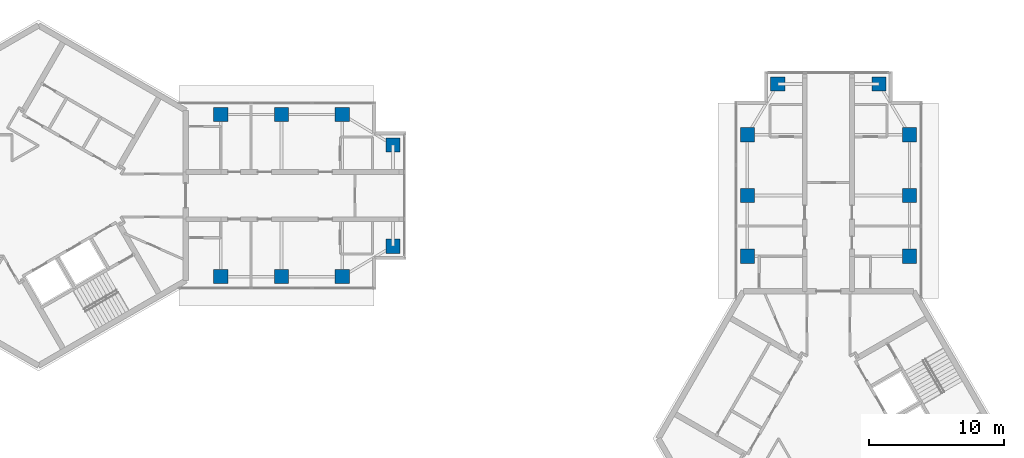
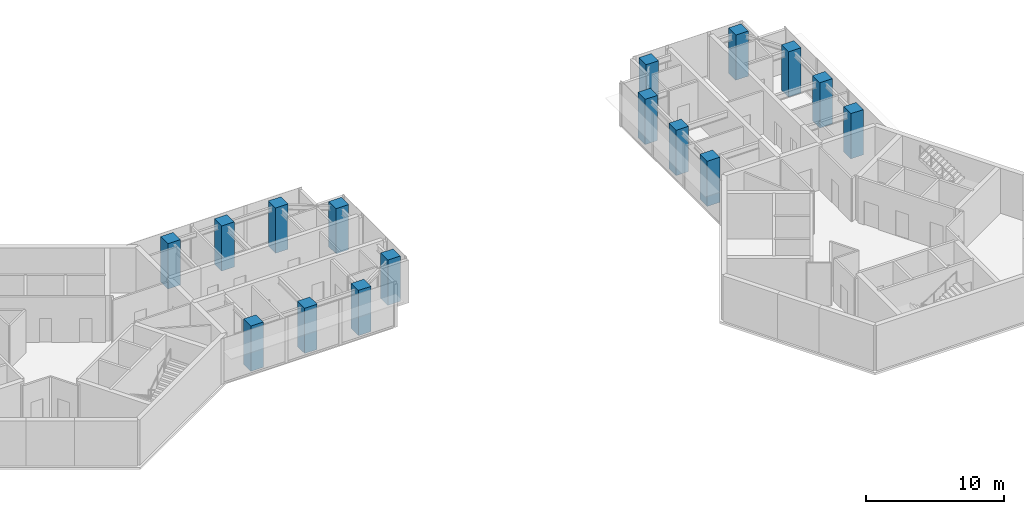
# One storey, part 1 of 11: 16 columns.
"""IFC4 building model written with IfcOpenShell, lengths in metres."""

from ifc_helpers import new_model, si_unit, direction, frame, origin, origin_2d, place, context, subcontext, project, spatial, rectangle, extrude, material, material_profile, profile_set, type_object, element, save


model = new_model("IFC4")

# Units and contexts
model_context = context("Model", 3, precision=1e-05, world=origin(), true_north=direction((0.0, 1.0)))
body_context = subcontext(model_context, "Body", "Model", "MODEL_VIEW")
ifc_project = project(units=[si_unit("LENGTHUNIT", "METRE"), si_unit("AREAUNIT", "SQUARE_METRE"), si_unit("VOLUMEUNIT", "CUBIC_METRE"), si_unit("PLANEANGLEUNIT", "RADIAN"), si_unit("MASSUNIT", "GRAM", prefix="KILO")], contexts=[model_context])

# Site, building, storey
site_placement = place(None, origin())
site = spatial("IfcSite", under=ifc_project, at=site_placement, CompositionType="ELEMENT")
building_placement = place(site_placement, origin())
building = spatial("IfcBuilding", under=site, at=building_placement, Name="Upepo Twin Towers", CompositionType="ELEMENT")
storey_placement = place(building_placement, frame((0.0, 0.0, 255.5)))
storey = spatial("IfcBuildingStorey", under=building, at=storey_placement, Name="L62", CompositionType="ELEMENT", Elevation=255.5)

# Columns
ifc_material = material(Name="Concrete C60/75", Category="concrete")
ifc_material_profile = material_profile(ifc_material, rectangle(XDim=1.050048828125, YDim=1.050048828125, at=origin_2d()), Name="RC 1050x1050")
ifc_profile_set = profile_set([ifc_material_profile], Name="Concrete C60/75")
column_type = type_object("IfcColumnType", Name="Tower column RC 1050x1050", PredefinedType="COLUMN", material=ifc_profile_set)
for number, where, z_axis, x_axis, name in (
    (1, (13.5, 6.0, 0.0), (0.0, 0.0, 1.0), (1.0, 0.0, 0.0), "T1 column AL135"),
    (2, (13.5, -6.0, 0.0), (0.0, 0.0, 1.0), (1.0, 0.0, 0.0), "T1 column AR135"),
    (3, (18.0, 6.0, 0.0), (0.0, 0.0, 1.0), (1.0, 0.0, 0.0), "T1 column AL180"),
    (4, (18.0, -6.0, 0.0), (0.0, 0.0, 1.0), (1.0, 0.0, 0.0), "T1 column AR180"),
    (5, (22.5, 6.0, 0.0), (0.0, 0.0, 1.0), (1.0, 0.0, 0.0), "T1 column AL225"),
    (6, (22.5, -6.0, 0.0), (0.0, 0.0, 1.0), (1.0, 0.0, 0.0), "T1 column AR225"),
    (7, (26.25, 3.75, 0.0), (0.0, 0.0, 1.0), (1.0, 0.0, 0.0), "T1 column ALN"),
    (8, (26.25, -3.75, 0.0), (0.0, 0.0, 1.0), (1.0, 0.0, 0.0), "T1 column ARN"),
    (9, (52.5, -4.5, 0.0), (0.0, 0.0, 1.0), (1.0, 0.0, 0.0), "T2 column AL135"),
    (10, (64.5, -4.5, 0.0), (0.0, 0.0, 1.0), (1.0, 0.0, 0.0), "T2 column AR135"),
    (11, (52.5, 0.0, 0.0), (0.0, 0.0, 1.0), (1.0, 0.0, 0.0), "T2 column AL180"),
    (12, (64.5, 0.0, 0.0), (0.0, 0.0, 1.0), (1.0, 0.0, 0.0), "T2 column AR180"),
    (13, (52.5, 4.5, 0.0), (0.0, 0.0, 1.0), (1.0, 0.0, 0.0), "T2 column AL225"),
    (14, (64.5, 4.5, 0.0), (0.0, 0.0, 1.0), (1.0, 0.0, 0.0), "T2 column AR225"),
    (15, (54.75, 8.25, 0.0), (0.0, 0.0, 1.0), (1.0, 0.0, 0.0), "T2 column ALN"),
    (16, (62.25, 8.25, 0.0), (0.0, 0.0, 1.0), (1.0, 0.0, 0.0), "T2 column ARN"),
):
    element("IfcColumn", number, at=place(storey_placement, frame(where, z_axis=z_axis, x_axis=x_axis)), inside=storey, type_object=column_type, Name=name, PredefinedType="COLUMN", context=body_context, shape_type="SweptSolid", body=[
        extrude(rectangle(XDim=1.050048828125, YDim=1.050048828125, at=origin_2d()), origin(), (0.0, 0.0, 1.0), 4.0),
    ])

save(model, "model.ifc")
